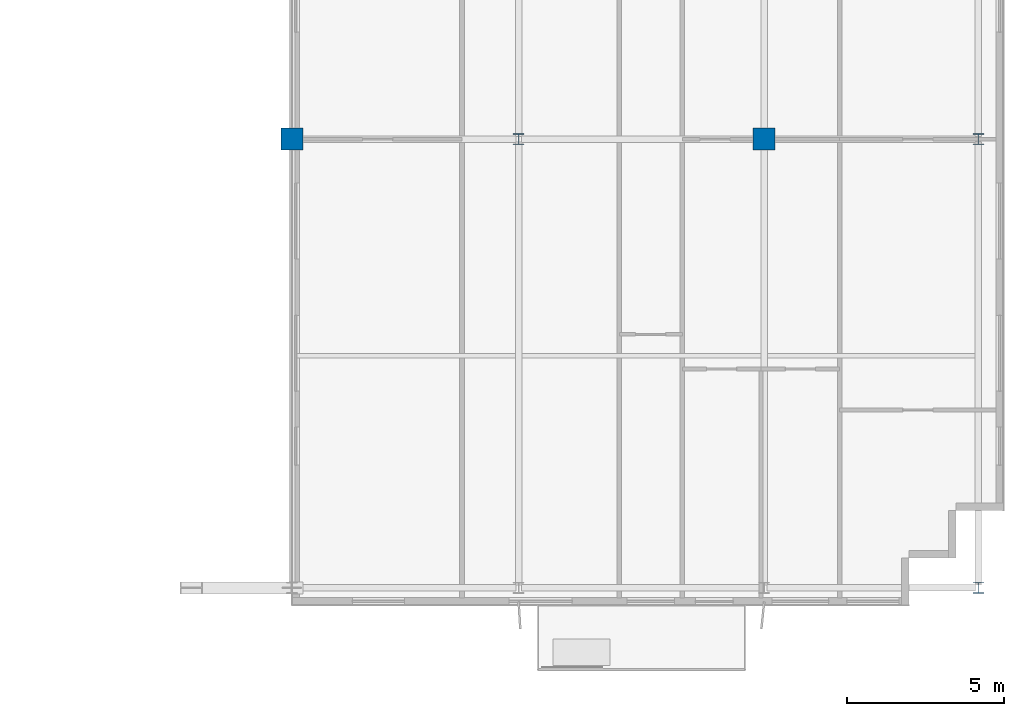
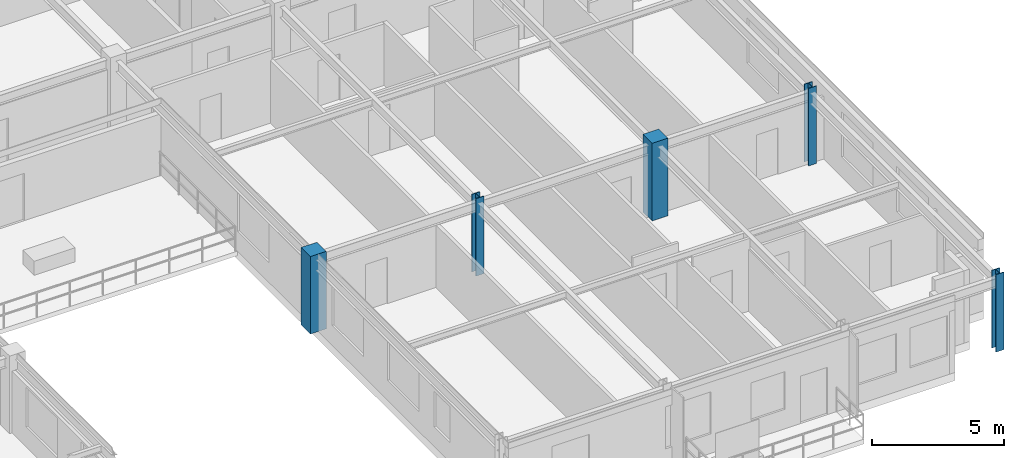
# One storey, part 2 of 23: 5 columns.
"""IFC4 building model written with IfcOpenShell, lengths in metres."""

from ifc_helpers import new_model, si_unit, direction, frame, origin, origin_2d, place, context, subcontext, project, spatial, rectangle, i_section, extrude, source, transform, mapped, material, material_profile, profile_set, type_object, element, save


model = new_model("IFC4")

# Units and contexts
model_context = context("Model", 3, precision=1e-05, world=origin(), true_north=direction((0.0, 1.0)))
body_context = subcontext(model_context, "Body", "Model", "MODEL_VIEW")
ifc_project = project(units=[si_unit("LENGTHUNIT", "METRE"), si_unit("AREAUNIT", "SQUARE_METRE"), si_unit("VOLUMEUNIT", "CUBIC_METRE"), si_unit("PLANEANGLEUNIT", "RADIAN"), si_unit("MASSUNIT", "GRAM", prefix="KILO")], contexts=[model_context])

# Site, building, storey
site_placement = place(None, origin())
site = spatial("IfcSite", under=ifc_project, at=site_placement, CompositionType="ELEMENT")
building_placement = place(site_placement, origin())
building = spatial("IfcBuilding", under=site, at=building_placement, Name="Trelvane Seafront Commons", CompositionType="ELEMENT")
storey_placement = place(building_placement, frame((0.0, 0.0, 190.5)))
storey = spatial("IfcBuildingStorey", under=building, at=storey_placement, Name="L49", CompositionType="ELEMENT", Elevation=190.5)

# Columns
ifc_material_1 = material(Name="Concrete C50/60", Category="concrete")
ifc_material_profile_1 = material_profile(ifc_material_1, rectangle(XDim=0.699951171875, YDim=0.699951171875, at=origin_2d()), Name="RC-700x700")
ifc_profile_set_1 = profile_set([ifc_material_profile_1], Name="Concrete C50/60")
column_type_1 = type_object("IfcColumnType", Name="STR-COL-RC700", PredefinedType="COLUMN", material=ifc_profile_set_1)
shared_shape_1 = source(origin(), body_context, "Body", "SweptSolid", [
    extrude(rectangle(XDim=0.699951171875, YDim=0.699951171875, at=origin_2d()), origin(), (0.0, 0.0, 1.0), 3.60009765625),
])
for number, where, z_axis, x_axis, name in (
    (1, (43.800048828125, 18.199951171875, 0.0), (0.0, 0.0, 1.0), (1.0, 0.0, 0.0), "L49 Column TC-M43.8"),
    (2, (58.800048828125, 18.199951171875, 0.0), (0.0, 0.0, 1.0), (1.0, 0.0, 0.0), "L49 Column TC-M58.8"),
):
    element("IfcColumn", number, at=place(storey_placement, frame(where, z_axis=z_axis, x_axis=x_axis)), inside=storey, type_object=column_type_1, Name=name, PredefinedType="COLUMN", context=body_context, shape_type="MappedRepresentation", body=[
        mapped(shared_shape_1, transform((0.0, 0.0, 0.0), x_axis=(1.0, 0.0, 0.0), y_axis=(0.0, 1.0, 0.0), z_axis=(0.0, 0.0, 1.0), scale=1.0)),
    ])
ifc_material_2 = material(Name="Steel SM355 (S355)", Category="steel")
ifc_material_profile_2 = material_profile(ifc_material_2, i_section(OverallWidth=0.35009765625, OverallDepth=0.35009765625, WebThickness=0.01806640625, FlangeThickness=0.028076171875, at=origin_2d()), Name="HD-350x350x18x28")
ifc_profile_set_2 = profile_set([ifc_material_profile_2], Name="Steel SM355 (S355)")
column_type_2 = type_object("IfcColumnType", Name="STR-COL-HD350", PredefinedType="COLUMN", material=ifc_profile_set_2)
shared_shape_2 = source(origin(), body_context, "Body", "SweptSolid", [
    extrude(i_section(OverallWidth=0.35009765625, OverallDepth=0.35009765625, WebThickness=0.01806640625, FlangeThickness=0.028076171875, at=origin_2d()), origin(), (0.0, 0.0, 1.0), 3.60009765625),
])
for number, where, z_axis, x_axis, name in (
    (3, (51.0, 18.199951171875, 0.0), (0.0, 0.0, 1.0), (1.0, 0.0, 0.0), "L49 Column TC-M51.0"),
    (4, (65.60009765625, 3.949951171875, 0.0), (0.0, 0.0, 1.0), (1.0, 0.0, 0.0), "L49 Column TC-S65.6"),
    (5, (65.60009765625, 18.199951171875, 0.0), (0.0, 0.0, 1.0), (1.0, 0.0, 0.0), "L49 Column TC-M65.6"),
):
    element("IfcColumn", number, at=place(storey_placement, frame(where, z_axis=z_axis, x_axis=x_axis)), inside=storey, type_object=column_type_2, Name=name, PredefinedType="COLUMN", context=body_context, shape_type="MappedRepresentation", body=[
        mapped(shared_shape_2, transform((0.0, 0.0, 0.0), x_axis=(1.0, 0.0, 0.0), y_axis=(0.0, 1.0, 0.0), z_axis=(0.0, 0.0, 1.0), scale=1.0)),
    ])

save(model, "model.ifc")
